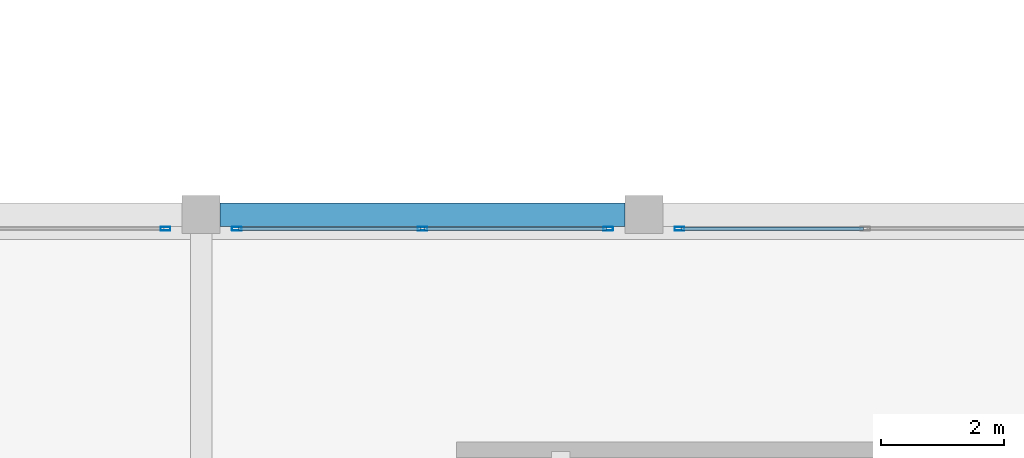
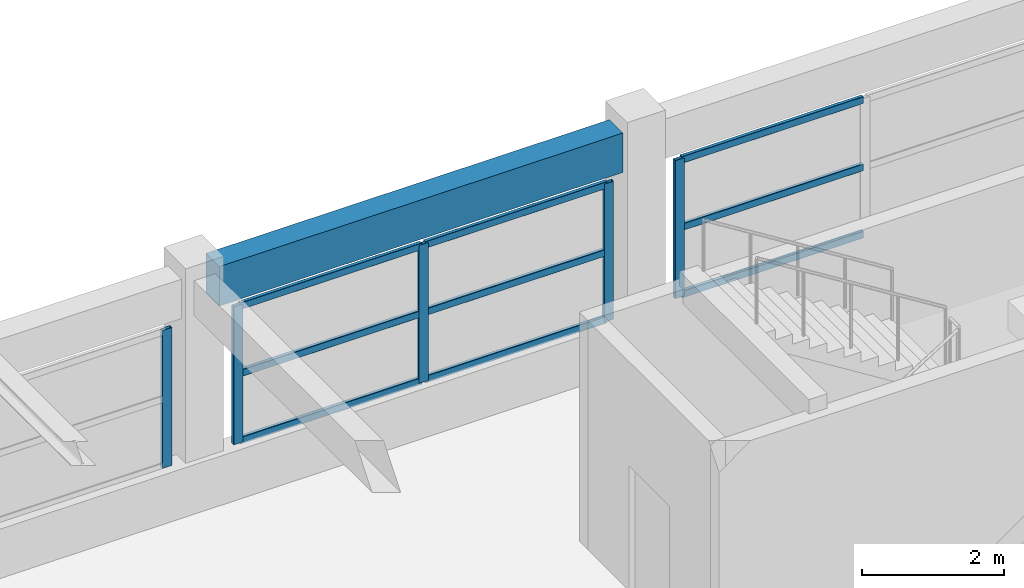
# One storey, part 12 of 67: 14 members, 1 beam, 3 elements without a shape of their own.
"""IFC4 building model written with IfcOpenShell, lengths in metres."""

from ifc_helpers import new_model, si_unit, direction, frame, origin, origin_2d, place, context, subcontext, project, spatial, rectangle, hollow_rectangle, extrude, material, material_profile, profile_set, type_object, element, aggregate, save


model = new_model("IFC4")

# Units and contexts
model_context = context("Model", 3, precision=1e-05, world=origin(), true_north=direction((0.0, 1.0)))
body_context = subcontext(model_context, "Body", "Model", "MODEL_VIEW")
ifc_project = project(units=[si_unit("LENGTHUNIT", "METRE"), si_unit("AREAUNIT", "SQUARE_METRE"), si_unit("VOLUMEUNIT", "CUBIC_METRE"), si_unit("PLANEANGLEUNIT", "RADIAN"), si_unit("MASSUNIT", "GRAM", prefix="KILO")], contexts=[model_context])

# Site, building, storey
site_placement = place(None, origin())
site = spatial("IfcSite", under=ifc_project, at=site_placement, CompositionType="ELEMENT")
building_placement = place(site_placement, origin())
building = spatial("IfcBuilding", under=site, at=building_placement, Name="Bramveld Media Centre", CompositionType="ELEMENT")
storey_placement = place(building_placement, frame((0.0, 0.0, 5.39990234375)))
storey = spatial("IfcBuildingStorey", under=building, at=storey_placement, Name="L01", CompositionType="ELEMENT", Elevation=5.39990234375)

# Curtain wall, member
ifc_material_1 = material(Name="Thermally broken anodized bronze aluminium unitized curtain wall with solar-control triple glazing", Category="aluminium")
curtain_wall_type = type_object("IfcCurtainWallType", Name="CW-FACV5-6100x2380", PredefinedType="NOTDEFINED", material=ifc_material_1)
curtain_wall_1_placement = place(storey_placement, origin())
curtain_wall_1 = element("IfcCurtainWall", 1, at=curtain_wall_1_placement, inside=storey, type_object=curtain_wall_type, Name="V5 L01 N curtain wall bay 1", PredefinedType="NOTDEFINED")
ifc_material_2 = material(Name="Thermally broken anodized bronze aluminium EN AW-6063 T6 curtain-wall framing", Category="aluminium")
ifc_material_profile_1 = material_profile(ifc_material_2, hollow_rectangle(XDim=0.06005859375, YDim=0.159912109375, WallThickness=0.00390625, InnerFilletRadius=0.00390625, OuterFilletRadius=0.008056640625, at=origin_2d()), Name="AL-MULL 60x160")
ifc_profile_set_1 = profile_set([ifc_material_profile_1], Name="Thermally broken anodized bronze aluminium EN AW-6063 T6 curtain-wall framing")
member_type_1 = type_object("IfcMemberType", Name="CW-MULL-EXT", PredefinedType="MULLION", material=ifc_profile_set_1)
member_1_placement = place(storey_placement, frame((65.02001953125, 21.3701171875, 0.85009765625), z_axis=(0.0, 0.0, 1.0), x_axis=(0.0, 1.0, 0.0)))
member_1 = element("IfcMember", 2, at=member_1_placement, type_object=member_type_1, Name="CW-FA-6123 mullion 3", PredefinedType="MULLION", context=body_context, shape_type="SweptSolid", body=[
    extrude(hollow_rectangle(XDim=0.06005859375, YDim=0.159912109375, WallThickness=0.00390625, InnerFilletRadius=0.00390625, OuterFilletRadius=0.008056640625, at=origin_2d()), origin(), (0.0, 0.0, 1.0), 2.3798828125),
])
aggregate(curtain_wall_1, [member_1])

# Curtain wall, members
curtain_wall_2_placement = place(storey_placement, origin())
curtain_wall_2 = element("IfcCurtainWall", 3, at=curtain_wall_2_placement, inside=storey, type_object=curtain_wall_type, Name="V5 L01 N curtain wall bay 2", PredefinedType="NOTDEFINED")
member_2_placement = place(storey_placement, frame((66.179931640625, 21.3701171875, 0.85009765625), z_axis=(0.0, 0.0, 1.0), x_axis=(0.0, 1.0, 0.0)))
member_2 = element("IfcMember", 4, at=member_2_placement, type_object=member_type_1, Name="CW-FA-6123 mullion 1", PredefinedType="MULLION", context=body_context, shape_type="SweptSolid", body=[
    extrude(hollow_rectangle(XDim=0.06005859375, YDim=0.159912109375, WallThickness=0.00390625, InnerFilletRadius=0.00390625, OuterFilletRadius=0.008056640625, at=origin_2d()), origin(), (0.0, 0.0, 1.0), 2.3798828125),
])
member_3_placement = place(storey_placement, frame((69.199951171875, 21.3701171875, 0.85009765625), z_axis=(0.0, 0.0, 1.0), x_axis=(0.0, 1.0, 0.0)))
member_3 = element("IfcMember", 5, at=member_3_placement, type_object=member_type_1, Name="CW-FA-6123 mullion 2", PredefinedType="MULLION", context=body_context, shape_type="SweptSolid", body=[
    extrude(hollow_rectangle(XDim=0.06005859375, YDim=0.159912109375, WallThickness=0.00390625, InnerFilletRadius=0.00390625, OuterFilletRadius=0.008056640625, at=origin_2d()), origin(), (0.0, 0.0, 1.0), 2.3798828125),
])
member_4_placement = place(storey_placement, frame((72.219970703125, 21.3701171875, 0.85009765625), z_axis=(0.0, 0.0, 1.0), x_axis=(0.0, 1.0, 0.0)))
member_4 = element("IfcMember", 6, at=member_4_placement, type_object=member_type_1, Name="CW-FA-6123 mullion 3", PredefinedType="MULLION", context=body_context, shape_type="SweptSolid", body=[
    extrude(hollow_rectangle(XDim=0.06005859375, YDim=0.159912109375, WallThickness=0.00390625, InnerFilletRadius=0.00390625, OuterFilletRadius=0.008056640625, at=origin_2d()), origin(), (0.0, 0.0, 1.0), 2.3798828125),
])

# Curtain wall, member
curtain_wall_3_placement = place(storey_placement, origin())
curtain_wall_3 = element("IfcCurtainWall", 7, at=curtain_wall_3_placement, inside=storey, type_object=curtain_wall_type, Name="V5 L01 N curtain wall bay 3", PredefinedType="NOTDEFINED")
member_5_placement = place(storey_placement, frame((73.3798828125, 21.3701171875, 0.85009765625), z_axis=(0.0, 0.0, 1.0), x_axis=(0.0, 1.0, 0.0)))
member_5 = element("IfcMember", 8, at=member_5_placement, type_object=member_type_1, Name="CW-FA-6123 mullion 1", PredefinedType="MULLION", context=body_context, shape_type="SweptSolid", body=[
    extrude(hollow_rectangle(XDim=0.06005859375, YDim=0.159912109375, WallThickness=0.00390625, InnerFilletRadius=0.00390625, OuterFilletRadius=0.008056640625, at=origin_2d()), origin(), (0.0, 0.0, 1.0), 2.3798828125),
])

# Member
ifc_material_3 = material(Name="Thermally broken anodized bronze aluminium EN AW-6063 T6 curtain-wall framing", Category="aluminium")
ifc_material_profile_2 = material_profile(ifc_material_3, hollow_rectangle(XDim=0.06005859375, YDim=0.1201171875, WallThickness=0.00341796875, InnerFilletRadius=0.00341796875, OuterFilletRadius=0.007080078125, at=origin_2d()), Name="AL-TRAN 60x120")
ifc_profile_set_2 = profile_set([ifc_material_profile_2], Name="Thermally broken anodized bronze aluminium EN AW-6063 T6 curtain-wall framing")
member_type_2 = type_object("IfcMemberType", Name="CW-TRAN-EXT", PredefinedType="USERDEFINED", material=ifc_profile_set_2)
member_6_placement = place(storey_placement, frame((66.2099609375, 21.3701171875, 0.880126953125), z_axis=(1.0, 0.0, 0.0), x_axis=(0.0, 1.0, 0.0)))
member_6 = element("IfcMember", 9, at=member_6_placement, type_object=member_type_2, Name="CW-FA-6123 transom 1.1", ObjectType="TRANSOM", PredefinedType="USERDEFINED", context=body_context, shape_type="SweptSolid", body=[
    extrude(hollow_rectangle(XDim=0.06005859375, YDim=0.1201171875, WallThickness=0.00341796875, InnerFilletRadius=0.00341796875, OuterFilletRadius=0.007080078125, at=origin_2d()), origin(), (0.0, 0.0, 1.0), 2.9599609375),
])

member_7_placement = place(storey_placement, frame((66.2099609375, 21.3701171875, 2.0400390625), z_axis=(1.0, 0.0, 0.0), x_axis=(0.0, 1.0, 0.0)))
member_7 = element("IfcMember", 10, at=member_7_placement, type_object=member_type_2, Name="CW-FA-6123 transom 1.2", ObjectType="TRANSOM", PredefinedType="USERDEFINED", context=body_context, shape_type="SweptSolid", body=[
    extrude(hollow_rectangle(XDim=0.06005859375, YDim=0.1201171875, WallThickness=0.00341796875, InnerFilletRadius=0.00341796875, OuterFilletRadius=0.007080078125, at=origin_2d()), origin(), (0.0, 0.0, 1.0), 2.9599609375),
])

member_8_placement = place(storey_placement, frame((66.2099609375, 21.3701171875, 3.2001953125), z_axis=(1.0, 0.0, 0.0), x_axis=(0.0, 1.0, 0.0)))
member_8 = element("IfcMember", 11, at=member_8_placement, type_object=member_type_2, Name="CW-FA-6123 transom 1.3", ObjectType="TRANSOM", PredefinedType="USERDEFINED", context=body_context, shape_type="SweptSolid", body=[
    extrude(hollow_rectangle(XDim=0.06005859375, YDim=0.1201171875, WallThickness=0.00341796875, InnerFilletRadius=0.00341796875, OuterFilletRadius=0.007080078125, at=origin_2d()), origin(), (0.0, 0.0, 1.0), 2.9599609375),
])

member_9_placement = place(storey_placement, frame((69.22998046875, 21.3701171875, 0.880126953125), z_axis=(1.0, 0.0, 0.0), x_axis=(0.0, 1.0, 0.0)))
member_9 = element("IfcMember", 12, at=member_9_placement, type_object=member_type_2, Name="CW-FA-6123 transom 2.1", ObjectType="TRANSOM", PredefinedType="USERDEFINED", context=body_context, shape_type="SweptSolid", body=[
    extrude(hollow_rectangle(XDim=0.06005859375, YDim=0.1201171875, WallThickness=0.00341796875, InnerFilletRadius=0.00341796875, OuterFilletRadius=0.007080078125, at=origin_2d()), origin(), (0.0, 0.0, 1.0), 2.9599609375),
])

member_10_placement = place(storey_placement, frame((69.22998046875, 21.3701171875, 2.0400390625), z_axis=(1.0, 0.0, 0.0), x_axis=(0.0, 1.0, 0.0)))
member_10 = element("IfcMember", 13, at=member_10_placement, type_object=member_type_2, Name="CW-FA-6123 transom 2.2", ObjectType="TRANSOM", PredefinedType="USERDEFINED", context=body_context, shape_type="SweptSolid", body=[
    extrude(hollow_rectangle(XDim=0.06005859375, YDim=0.1201171875, WallThickness=0.00341796875, InnerFilletRadius=0.00341796875, OuterFilletRadius=0.007080078125, at=origin_2d()), origin(), (0.0, 0.0, 1.0), 2.9599609375),
])

member_11_placement = place(storey_placement, frame((69.22998046875, 21.3701171875, 3.2001953125), z_axis=(1.0, 0.0, 0.0), x_axis=(0.0, 1.0, 0.0)))
member_11 = element("IfcMember", 14, at=member_11_placement, type_object=member_type_2, Name="CW-FA-6123 transom 2.3", ObjectType="TRANSOM", PredefinedType="USERDEFINED", context=body_context, shape_type="SweptSolid", body=[
    extrude(hollow_rectangle(XDim=0.06005859375, YDim=0.1201171875, WallThickness=0.00341796875, InnerFilletRadius=0.00341796875, OuterFilletRadius=0.007080078125, at=origin_2d()), origin(), (0.0, 0.0, 1.0), 2.9599609375),
])

aggregate(curtain_wall_2, [member_2, member_3, member_4, member_6, member_7, member_8, member_9, member_10, member_11])

member_12_placement = place(storey_placement, frame((73.409912109375, 21.3701171875, 0.880126953125), z_axis=(1.0, 0.0, 0.0), x_axis=(0.0, 1.0, 0.0)))
member_12 = element("IfcMember", 15, at=member_12_placement, type_object=member_type_2, Name="CW-FA-6123 transom 1.1", ObjectType="TRANSOM", PredefinedType="USERDEFINED", context=body_context, shape_type="SweptSolid", body=[
    extrude(hollow_rectangle(XDim=0.06005859375, YDim=0.1201171875, WallThickness=0.00341796875, InnerFilletRadius=0.00341796875, OuterFilletRadius=0.007080078125, at=origin_2d()), origin(), (0.0, 0.0, 1.0), 2.960205078125),
])

member_13_placement = place(storey_placement, frame((73.409912109375, 21.3701171875, 2.0400390625), z_axis=(1.0, 0.0, 0.0), x_axis=(0.0, 1.0, 0.0)))
member_13 = element("IfcMember", 16, at=member_13_placement, type_object=member_type_2, Name="CW-FA-6123 transom 1.2", ObjectType="TRANSOM", PredefinedType="USERDEFINED", context=body_context, shape_type="SweptSolid", body=[
    extrude(hollow_rectangle(XDim=0.06005859375, YDim=0.1201171875, WallThickness=0.00341796875, InnerFilletRadius=0.00341796875, OuterFilletRadius=0.007080078125, at=origin_2d()), origin(), (0.0, 0.0, 1.0), 2.960205078125),
])

member_14_placement = place(storey_placement, frame((73.409912109375, 21.3701171875, 3.2001953125), z_axis=(1.0, 0.0, 0.0), x_axis=(0.0, 1.0, 0.0)))
member_14 = element("IfcMember", 17, at=member_14_placement, type_object=member_type_2, Name="CW-FA-6123 transom 1.3", ObjectType="TRANSOM", PredefinedType="USERDEFINED", context=body_context, shape_type="SweptSolid", body=[
    extrude(hollow_rectangle(XDim=0.06005859375, YDim=0.1201171875, WallThickness=0.00341796875, InnerFilletRadius=0.00341796875, OuterFilletRadius=0.007080078125, at=origin_2d()), origin(), (0.0, 0.0, 1.0), 2.960205078125),
])

aggregate(curtain_wall_3, [member_5, member_12, member_13, member_14])

# Beam
ifc_material_4 = material(Name="Concrete C40/50", Category="concrete")
ifc_material_profile_3 = material_profile(ifc_material_4, rectangle(XDim=0.3798828125, YDim=0.679931640625, at=origin_2d()), Name="RC 380x680")
ifc_profile_set_3 = profile_set([ifc_material_profile_3], Name="Concrete C40/50")
beam_type = type_object("IfcBeamType", Name="SPANDREL-EXT-RC-380x680", PredefinedType="SPANDREL", material=ifc_profile_set_3)
beam_placement = place(storey_placement, frame((65.909912109375, 21.60009765625, 3.610107421875), z_axis=(1.0, 0.0, 0.0), x_axis=(0.0, 1.0, 0.0)))
element("IfcBeam", 18, at=beam_placement, inside=storey, type_object=beam_type, Name="V5 L01 girder X-735", PredefinedType="SPANDREL", context=body_context, shape_type="SweptSolid", body=[
    extrude(rectangle(XDim=0.3798828125, YDim=0.679931640625, at=origin_2d()), origin(), (0.0, 0.0, 1.0), 6.580078125),
])

save(model, "model.ifc")
